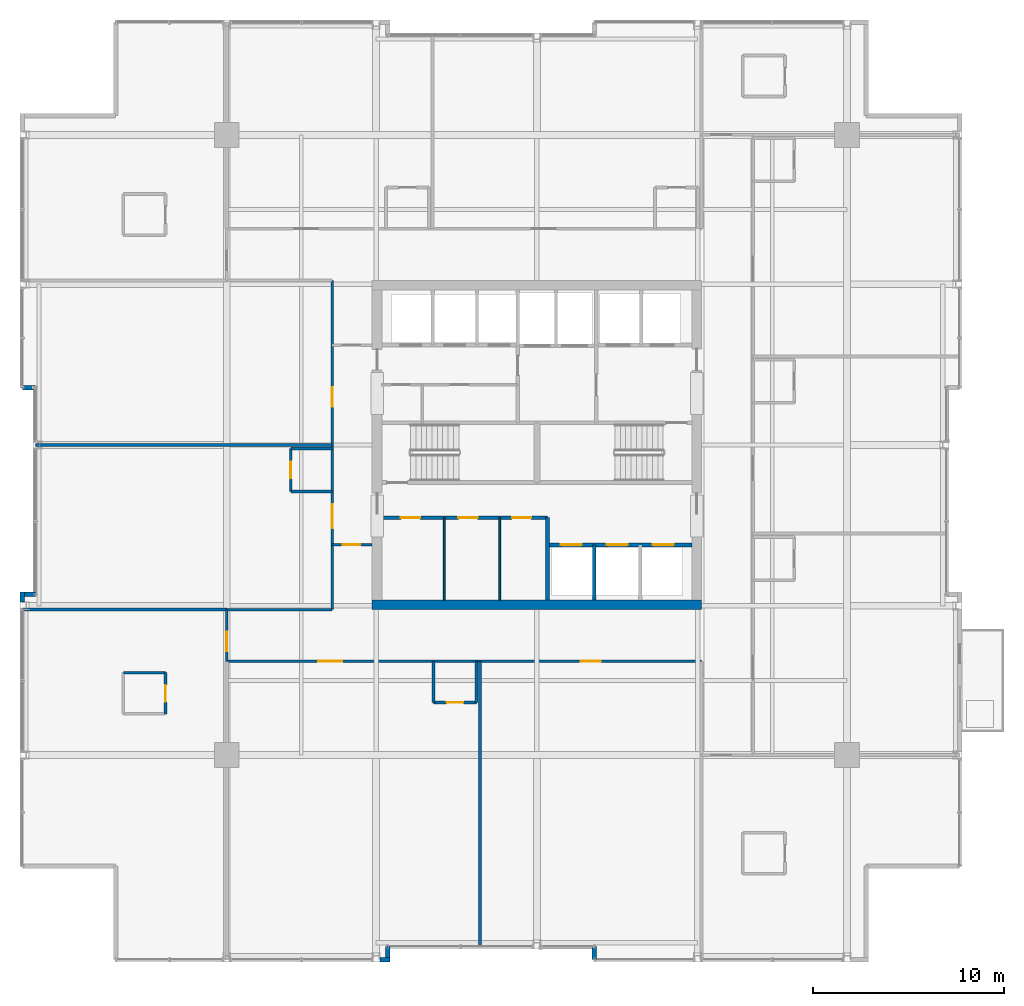
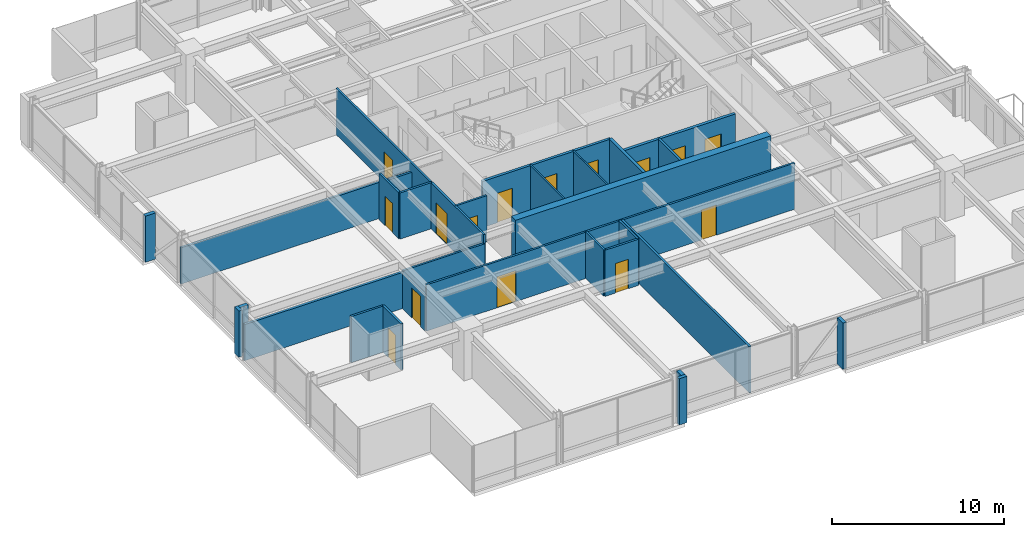
# One storey, part 27 of 33: 29 walls, 15 doors, 15 openings.
"""IFC4 building model written with IfcOpenShell, lengths in metres."""

from ifc_helpers import new_model, si_unit, direction, frame, frame_2d, origin, place, context, subcontext, project, spatial, rectangle, extrude, material, layer, layer_set, type_object, element, fill, save


model = new_model("IFC4")

# Units and contexts
model_context = context("Model", 3, precision=1e-05, world=origin(), true_north=direction((0.0, 1.0)))
body_context = subcontext(model_context, "Body", "Model", "MODEL_VIEW")
ifc_project = project(units=[si_unit("LENGTHUNIT", "METRE"), si_unit("AREAUNIT", "SQUARE_METRE"), si_unit("VOLUMEUNIT", "CUBIC_METRE"), si_unit("PLANEANGLEUNIT", "RADIAN"), si_unit("MASSUNIT", "GRAM", prefix="KILO")], contexts=[model_context])

# Site, building, storey
site_placement = place(None, origin())
site = spatial("IfcSite", under=ifc_project, at=site_placement, CompositionType="ELEMENT")
building_placement = place(site_placement, origin())
building = spatial("IfcBuilding", under=site, at=building_placement, Name="Drelvath Grand Hotel", CompositionType="ELEMENT")
storey_placement = place(building_placement, frame((0.0, 0.0, 168.14990234375)))
storey = spatial("IfcBuildingStorey", under=building, at=storey_placement, Name="L43", CompositionType="ELEMENT", Elevation=168.14990234375)

# Walls
ifc_material_1 = material(Name="Gypsum Partition Board")
ifc_layer_1 = layer(ifc_material_1, 0.10009765625)
ifc_layer_set_1 = layer_set([ifc_layer_1], Name="Gypsum Partition Board")
wall_type_1 = type_object("IfcWallType", Name="Core Closet Partition 100", PredefinedType="PARTITIONING", material=ifc_layer_set_1)
for number, where, z_axis, x_axis, name in (
    (1, (-4.840087890625, 18.89990234375, 0.0), (0.0, 0.0, 1.0), (0.0, 1.0, 0.0), "L43 Reclaimed Split 1"),
    (2, (-1.93994140625, 18.89990234375, 0.0), (0.0, 0.0, 1.0), (0.0, 1.0, 0.0), "L43 Reclaimed Split 2"),
):
    element("IfcWall", number, at=place(storey_placement, frame(where, z_axis=z_axis, x_axis=x_axis)), inside=storey, type_object=wall_type_1, Name=name, PredefinedType="PARTITIONING", context=body_context, shape_type="SweptSolid", body=[
        extrude(rectangle(XDim=4.300048828125, YDim=0.10009765625, at=frame_2d((2.14990234375, 0.0))), origin(), (0.0, 0.0, 1.0), 3.2900390625),
    ])

# Wall, openings, doors
ifc_material_2 = material(Name="Concrete C40/50", Category="concrete")
ifc_layer_2 = layer(ifc_material_2, 0.199951171875)
ifc_layer_set_2 = layer_set([ifc_layer_2], Name="Concrete C40/50")
wall_type_2 = type_object("IfcWallType", Name="Core Hoistway Fire Wall 200", PredefinedType="SOLIDWALL", material=ifc_layer_set_2)
wall_1_placement = place(storey_placement, frame((8.10009765625, 21.780029296875, 0.0), z_axis=(0.0, 0.0, 1.0), x_axis=(-1.0, 0.0, 0.0)))
wall_1 = element("IfcWall", 3, at=wall_1_placement, inside=storey, type_object=wall_type_2, Name="L43 Bank 2 Hoistway Wall", PredefinedType="SOLIDWALL", context=body_context, shape_type="SweptSolid", body=[
    extrude(rectangle(XDim=7.550048828125, YDim=0.199951171875, at=frame_2d((3.77490234375, 0.0))), origin(), (0.0, 0.0, 1.0), 3.2900390625),
])
opening_1_placement = place(wall_1_placement, frame((5.75, 0.0, 0.0)))
opening_1 = element("IfcOpeningElement", 4, at=opening_1_placement, cuts=wall_1, Name="Opening LD-PE-4", PredefinedType="OPENING", context=body_context, shape_type="SweptSolid", body=[
    extrude(rectangle(XDim=1.10009765625, YDim=2.199951171875, at=frame_2d((0.550048828125, 1.10009765625))), frame((0.0, 0.10986328125, 0.0), z_axis=(0.0, -1.0, 0.0), x_axis=(1.0, 0.0, 0.0)), (0.0, 0.0, 1.0), 0.219970703125),
])
opening_2_placement = place(wall_1_placement, frame((3.35009765625, 0.0, 0.0)))
opening_2 = element("IfcOpeningElement", 5, at=opening_2_placement, cuts=wall_1, Name="Opening LD-PE-5", PredefinedType="OPENING", context=body_context, shape_type="SweptSolid", body=[
    extrude(rectangle(XDim=1.10009765625, YDim=2.199951171875, at=frame_2d((0.550048828125, 1.10009765625))), frame((0.0, 0.10986328125, 0.0), z_axis=(0.0, -1.0, 0.0), x_axis=(1.0, 0.0, 0.0)), (0.0, 0.0, 1.0), 0.219970703125),
])
opening_3_placement = place(wall_1_placement, frame((0.949951171875, 0.0, 0.0)))
opening_3 = element("IfcOpeningElement", 6, at=opening_3_placement, cuts=wall_1, Name="Opening LD-PE-6", PredefinedType="OPENING", context=body_context, shape_type="SweptSolid", body=[
    extrude(rectangle(XDim=1.10009765625, YDim=2.199951171875, at=frame_2d((0.550048828125, 1.10009765625))), frame((0.0, 0.10986328125, 0.0), z_axis=(0.0, -1.0, 0.0), x_axis=(1.0, 0.0, 0.0)), (0.0, 0.0, 1.0), 0.219970703125),
])
ifc_material_3 = material(Name="Stainless Steel S355", Category="steel")
door_type_1 = type_object("IfcDoorType", Name="Passenger Lift Sliding Landing Door 1100x2200", OperationType="NOTDEFINED", PredefinedType="DOOR", material=ifc_material_3)
door_1_placement = place(opening_1_placement, origin())
door_1 = element("IfcDoor", 7, at=door_1_placement, inside=storey, type_object=door_type_1, Name="L43 Lift PE-4 Landing Door", OperationType="SLIDING_TO_LEFT", OverallHeight=2.199951171875, OverallWidth=1.10009765625, PredefinedType="DOOR", context=body_context, shape_type="SweptSolid", body=[
    extrude(rectangle(XDim=1.10009765625, YDim=2.199951171875, at=frame_2d((0.550048828125, 1.10009765625))), frame((0.0, 0.02490234375, 0.0), z_axis=(0.0, -1.0, 0.0), x_axis=(1.0, 0.0, 0.0)), (0.0, 0.0, 1.0), 0.050048828125),
])
fill(opening_1, door_1)
door_2_placement = place(opening_2_placement, origin())
door_2 = element("IfcDoor", 8, at=door_2_placement, inside=storey, type_object=door_type_1, Name="L43 Lift PE-5 Landing Door", OperationType="SLIDING_TO_LEFT", OverallHeight=2.199951171875, OverallWidth=1.10009765625, PredefinedType="DOOR", context=body_context, shape_type="SweptSolid", body=[
    extrude(rectangle(XDim=1.10009765625, YDim=2.199951171875, at=frame_2d((0.550048828125, 1.10009765625))), frame((0.0, 0.02490234375, 0.0), z_axis=(0.0, -1.0, 0.0), x_axis=(1.0, 0.0, 0.0)), (0.0, 0.0, 1.0), 0.050048828125),
])
fill(opening_2, door_2)
door_3_placement = place(opening_3_placement, origin())
door_3 = element("IfcDoor", 9, at=door_3_placement, inside=storey, type_object=door_type_1, Name="L43 Lift PE-6 Landing Door", OperationType="SLIDING_TO_LEFT", OverallHeight=2.199951171875, OverallWidth=1.10009765625, PredefinedType="DOOR", context=body_context, shape_type="SweptSolid", body=[
    extrude(rectangle(XDim=1.10009765625, YDim=2.199951171875, at=frame_2d((0.550048828125, 1.10009765625))), frame((0.0, 0.02490234375, 0.0), z_axis=(0.0, -1.0, 0.0), x_axis=(1.0, 0.0, 0.0)), (0.0, 0.0, 1.0), 0.050048828125),
])
fill(opening_3, door_3)

# Walls
wall_2_placement = place(storey_placement, frame((0.550048828125, 18.89990234375, 0.0), z_axis=(0.0, 0.0, 1.0), x_axis=(0.0, 1.0, 0.0)))
element("IfcWall", 10, at=wall_2_placement, inside=storey, type_object=wall_type_2, Name="L43 Bank 2 West Wall", PredefinedType="SOLIDWALL", context=body_context, shape_type="SweptSolid", body=[
    extrude(rectangle(XDim=4.300048828125, YDim=0.199951171875, at=frame_2d((2.14990234375, 0.0))), origin(), (0.0, 0.0, 1.0), 3.2900390625),
])
ifc_material_4 = material(Name="Gypsum Fireboard Partition")
ifc_layer_3 = layer(ifc_material_4, 0.1650390625)
ifc_layer_set_3 = layer_set([ifc_layer_3], Name="Gypsum Fireboard Partition")
wall_type_3 = type_object("IfcWallType", Name="Core Shaft Partition 165", PredefinedType="PARTITIONING", material=ifc_layer_set_3)
wall_3_placement = place(storey_placement, frame((3.0, 18.89990234375, 0.0), z_axis=(0.0, 0.0, 1.0), x_axis=(0.0, 1.0, 0.0)))
element("IfcWall", 11, at=wall_3_placement, inside=storey, type_object=wall_type_3, Name="L43 Lift PE-4/5 Divider", PredefinedType="PARTITIONING", context=body_context, shape_type="SweptSolid", body=[
    extrude(rectangle(XDim=2.880126953125, YDim=0.1650390625, at=frame_2d((1.43994140625, 0.0))), origin(), (0.0, 0.0, 1.0), 3.2900390625),
])

# Wall, opening, door
ifc_layer_4 = layer(ifc_material_4, 0.135009765625)
ifc_layer_set_4 = layer_set([ifc_layer_4], Name="Gypsum Fireboard Partition")
wall_type_4 = type_object("IfcWallType", Name="Corridor Fire Barrier Wall 135", PredefinedType="PARTITIONING", material=ifc_layer_set_4)
wall_4_placement = place(storey_placement, frame((-10.699951171875, 21.800048828125, 0.0), z_axis=(0.0, 0.0, 1.0), x_axis=(1.0, 0.0, 0.0)))
wall_4 = element("IfcWall", 12, at=wall_4_placement, inside=storey, type_object=wall_type_4, Name="L43 West Foyer South Wall", PredefinedType="PARTITIONING", context=body_context, shape_type="SweptSolid", body=[
    extrude(rectangle(XDim=2.099853515625, YDim=0.135009765625, at=frame_2d((1.0498046875, 0.0))), origin(), (0.0, 0.0, 1.0), 3.2900390625),
])
opening_4_placement = place(wall_4_placement, frame((0.550048828125, 0.0, 0.0)))
opening_4 = element("IfcOpeningElement", 13, at=opening_4_placement, cuts=wall_4, Name="Opening D-T3G2-024", PredefinedType="OPENING", context=body_context, shape_type="SweptSolid", body=[
    extrude(rectangle(XDim=0.919921875, YDim=2.10009765625, at=frame_2d((0.4599609375, 1.050048828125))), frame((0.0, 0.077392578125, 0.0), z_axis=(0.0, -1.0, 0.0), x_axis=(1.0, 0.0, 0.0)), (0.0, 0.0, 1.0), 0.155029296875),
])
ifc_material_5 = material(Name="Painted Steel S275", Category="steel")
door_type_2 = type_object("IfcDoorType", Name="Staff Utility Door 920x2100", OperationType="NOTDEFINED", PredefinedType="DOOR", material=ifc_material_5)
door_4_placement = place(opening_4_placement, origin())
door_4 = element("IfcDoor", 14, at=door_4_placement, inside=storey, type_object=door_type_2, Name="L43 West Linen Closet Door", OperationType="SINGLE_SWING_RIGHT", OverallHeight=2.10009765625, OverallWidth=0.919921875, PredefinedType="DOOR", context=body_context, shape_type="SweptSolid", body=[
    extrude(rectangle(XDim=0.919921875, YDim=2.10009765625, at=frame_2d((0.4599609375, 1.050048828125))), frame((0.0, 0.02490234375, 0.0), z_axis=(0.0, -1.0, 0.0), x_axis=(1.0, 0.0, 0.0)), (0.0, 0.0, 1.0), 0.050048828125),
])
fill(opening_4, door_4)

# Wall
wall_5_placement = place(storey_placement, frame((-16.199951171875, 18.39990234375, 0.0), z_axis=(0.0, 0.0, 1.0), x_axis=(1.0, 0.0, 0.0)))
element("IfcWall", 15, at=wall_5_placement, inside=storey, type_object=wall_type_4, Name="L43 SW Stub North Wall", PredefinedType="PARTITIONING", context=body_context, shape_type="SweptSolid", body=[
    extrude(rectangle(XDim=5.5, YDim=0.135009765625, at=frame_2d((2.75, 0.0))), origin(), (0.0, 0.0, 1.0), 2.66748046875),
])

# Wall, openings, doors
wall_6_placement = place(storey_placement, frame((-16.199951171875, 15.699951171875, 0.0), z_axis=(0.0, 0.0, 1.0), x_axis=(1.0, 0.0, 0.0)))
wall_6 = element("IfcWall", 16, at=wall_6_placement, inside=storey, type_object=wall_type_4, Name="L43 South Stub Corridor Wall", PredefinedType="PARTITIONING", context=body_context, shape_type="SweptSolid", body=[
    extrude(rectangle(XDim=24.800048828125, YDim=0.135009765625, at=frame_2d((12.39990234375, 0.0))), origin(), (0.0, 0.0, 1.0), 3.2900390625),
])
opening_5_placement = place(wall_6_placement, frame((4.768310546875, 0.0, 0.0)))
opening_5 = element("IfcOpeningElement", 17, at=opening_5_placement, cuts=wall_6, Name="Opening D-T3G2-035", PredefinedType="OPENING", context=body_context, shape_type="SweptSolid", body=[
    extrude(rectangle(XDim=1.260009765625, YDim=2.199951171875, at=frame_2d((0.6298828125, 1.10009765625))), frame((0.0, 0.077392578125, 0.0), z_axis=(0.0, -1.0, 0.0), x_axis=(1.0, 0.0, 0.0)), (0.0, 0.0, 1.0), 0.155029296875),
])
opening_6_placement = place(wall_6_placement, frame((18.50341796875, 0.0, 0.0)))
opening_6 = element("IfcOpeningElement", 18, at=opening_6_placement, cuts=wall_6, Name="Opening D-T3G2-036", PredefinedType="OPENING", context=body_context, shape_type="SweptSolid", body=[
    extrude(rectangle(XDim=1.02001953125, YDim=2.14990234375, at=frame_2d((0.510009765625, 1.074951171875))), frame((0.0, 0.077392578125, 0.0), z_axis=(0.0, -1.0, 0.0), x_axis=(1.0, 0.0, 0.0)), (0.0, 0.0, 1.0), 0.155029296875),
])
ifc_material_6 = material(Name="Hardwood Walnut Timber", Category="wood")
door_type_3 = type_object("IfcDoorType", Name="Amenity Meeting Fire Door 1020x2150", OperationType="NOTDEFINED", PredefinedType="DOOR", material=ifc_material_6)
door_5_placement = place(opening_6_placement, origin())
door_5 = element("IfcDoor", 19, at=door_5_placement, inside=storey, type_object=door_type_3, Name="L43 Executive Boardroom Entry Door", OperationType="SINGLE_SWING_RIGHT", OverallHeight=2.14990234375, OverallWidth=1.02001953125, PredefinedType="DOOR", context=body_context, shape_type="SweptSolid", body=[
    extrude(rectangle(XDim=1.02001953125, YDim=2.14990234375, at=frame_2d((0.510009765625, 1.074951171875))), frame((0.0, 0.02490234375, 0.0), z_axis=(0.0, -1.0, 0.0), x_axis=(1.0, 0.0, 0.0)), (0.0, 0.0, 1.0), 0.050048828125),
])
fill(opening_6, door_5)
door_type_4 = type_object("IfcDoorType", Name="Suite Entrance Fire Door 1260x2200", OperationType="NOTDEFINED", PredefinedType="DOOR", material=ifc_material_6)
door_6_placement = place(opening_5_placement, origin())
door_6 = element("IfcDoor", 20, at=door_6_placement, inside=storey, type_object=door_type_4, Name="L43 Executive Suite Entry Door", OperationType="SINGLE_SWING_LEFT", OverallHeight=2.199951171875, OverallWidth=1.260009765625, PredefinedType="DOOR", context=body_context, shape_type="SweptSolid", body=[
    extrude(rectangle(XDim=1.260009765625, YDim=2.199951171875, at=frame_2d((0.6298828125, 1.10009765625))), frame((0.0, 0.02490234375, 0.0), z_axis=(0.0, -1.0, 0.0), x_axis=(1.0, 0.0, 0.0)), (0.0, 0.0, 1.0), 0.050048828125),
])
fill(opening_5, door_6)

wall_7_placement = place(storey_placement, frame((-10.699951171875, 18.39990234375, 0.0), z_axis=(0.0, 0.0, 1.0), x_axis=(0.0, 1.0, 0.0)))
wall_7 = element("IfcWall", 21, at=wall_7_placement, inside=storey, type_object=wall_type_4, Name="L43 West Spine Wall", PredefinedType="PARTITIONING", context=body_context, shape_type="SweptSolid", body=[
    extrude(rectangle(XDim=17.2001953125, YDim=0.135009765625, at=frame_2d((8.60009765625, 0.0))), origin(), (0.0, 0.0, 1.0), 3.2900390625),
])
opening_7_placement = place(wall_7_placement, frame((4.2548828125, 0.0, 0.0)))
opening_7 = element("IfcOpeningElement", 22, at=opening_7_placement, cuts=wall_7, Name="Opening D-T3G2-048", PredefinedType="OPENING", context=body_context, shape_type="SweptSolid", body=[
    extrude(rectangle(XDim=1.260009765625, YDim=2.199951171875, at=frame_2d((0.6298828125, 1.10009765625))), frame((0.0, 0.077392578125, 0.0), z_axis=(0.0, -1.0, 0.0), x_axis=(1.0, 0.0, 0.0)), (0.0, 0.0, 1.0), 0.155029296875),
])
opening_8_placement = place(wall_7_placement, frame((10.590087890625, 0.0, 0.0)))
opening_8 = element("IfcOpeningElement", 23, at=opening_8_placement, cuts=wall_7, Name="Opening D-T3G2-049", PredefinedType="OPENING", context=body_context, shape_type="SweptSolid", body=[
    extrude(rectangle(XDim=1.02001953125, YDim=2.14990234375, at=frame_2d((0.510009765625, 1.074951171875))), frame((0.0, 0.077392578125, 0.0), z_axis=(0.0, -1.0, 0.0), x_axis=(1.0, 0.0, 0.0)), (0.0, 0.0, 1.0), 0.155029296875),
])
door_7_placement = place(opening_8_placement, origin())
door_7 = element("IfcDoor", 24, at=door_7_placement, inside=storey, type_object=door_type_3, Name="L43 Wellness Consultation Room Entry Door", OperationType="SINGLE_SWING_LEFT", OverallHeight=2.14990234375, OverallWidth=1.02001953125, PredefinedType="DOOR", context=body_context, shape_type="SweptSolid", body=[
    extrude(rectangle(XDim=1.02001953125, YDim=2.14990234375, at=frame_2d((0.510009765625, 1.074951171875))), frame((0.0, 0.02490234375, 0.0), z_axis=(0.0, -1.0, 0.0), x_axis=(1.0, 0.0, 0.0)), (0.0, 0.0, 1.0), 0.050048828125),
])
fill(opening_8, door_7)
door_8_placement = place(opening_7_placement, origin())
door_8 = element("IfcDoor", 25, at=door_8_placement, inside=storey, type_object=door_type_4, Name="L43 Executive Suite Entry Door", OperationType="SINGLE_SWING_RIGHT", OverallHeight=2.199951171875, OverallWidth=1.260009765625, PredefinedType="DOOR", context=body_context, shape_type="SweptSolid", body=[
    extrude(rectangle(XDim=1.260009765625, YDim=2.199951171875, at=frame_2d((0.6298828125, 1.10009765625))), frame((0.0, 0.02490234375, 0.0), z_axis=(0.0, -1.0, 0.0), x_axis=(1.0, 0.0, 0.0)), (0.0, 0.0, 1.0), 0.050048828125),
])
fill(opening_7, door_8)

# Wall, opening, door
wall_8_placement = place(storey_placement, frame((-16.199951171875, 15.699951171875, 0.0), z_axis=(0.0, 0.0, 1.0), x_axis=(0.0, 1.0, 0.0)))
wall_8 = element("IfcWall", 26, at=wall_8_placement, inside=storey, type_object=wall_type_4, Name="L43 South Stub West End", PredefinedType="PARTITIONING", context=body_context, shape_type="SweptSolid", body=[
    extrude(rectangle(XDim=2.699951171875, YDim=0.135009765625, at=frame_2d((1.35009765625, 0.0))), origin(), (0.0, 0.0, 1.0), 2.57958984375),
])
opening_9_placement = place(wall_8_placement, frame((0.52001953125, 0.0, 0.0)))
opening_9 = element("IfcOpeningElement", 27, at=opening_9_placement, cuts=wall_8, Name="Opening D-T3G2-027", PredefinedType="OPENING", context=body_context, shape_type="SweptSolid", body=[
    extrude(rectangle(XDim=1.02001953125, YDim=2.14990234375, at=frame_2d((0.510009765625, 1.074951171875))), frame((0.0, 0.077392578125, 0.0), z_axis=(0.0, -1.0, 0.0), x_axis=(1.0, 0.0, 0.0)), (0.0, 0.0, 1.0), 0.155029296875),
])
door_9_placement = place(opening_9_placement, origin())
door_9 = element("IfcDoor", 28, at=door_9_placement, inside=storey, type_object=door_type_3, Name="L43 Executive Suite Entry Door", OperationType="SINGLE_SWING_LEFT", OverallHeight=2.14990234375, OverallWidth=1.02001953125, PredefinedType="DOOR", context=body_context, shape_type="SweptSolid", body=[
    extrude(rectangle(XDim=1.02001953125, YDim=2.14990234375, at=frame_2d((0.510009765625, 1.074951171875))), frame((0.0, 0.02490234375, 0.0), z_axis=(0.0, -1.0, 0.0), x_axis=(1.0, 0.0, 0.0)), (0.0, 0.0, 1.0), 0.050048828125),
])
fill(opening_9, door_9)

# Wall
ifc_material_7 = material(Name="Moisture-Resistant Gypsum Board")
ifc_layer_5 = layer(ifc_material_7, 0.139892578125)
ifc_layer_set_5 = layer_set([ifc_layer_5], Name="Moisture-Resistant Gypsum Board")
wall_type_5 = type_object("IfcWallType", Name="En-Suite Plumbing Wall 140", PredefinedType="PLUMBINGWALL", material=ifc_layer_set_5)
wall_9_placement = place(storey_placement, frame((-21.60009765625, 15.110107421875, 0.0), z_axis=(0.0, 0.0, 1.0), x_axis=(1.0, 0.0, 0.0)))
element("IfcWall", 29, at=wall_9_placement, inside=storey, type_object=wall_type_5, Name="L43 Corner En-Suite North", PredefinedType="PLUMBINGWALL", context=body_context, shape_type="SweptSolid", body=[
    extrude(rectangle(XDim=2.2001953125, YDim=0.139892578125, at=frame_2d((1.10009765625, 0.0))), origin(), (0.0, 0.0, 1.0), 3.2900390625),
])

# Wall, opening, door
wall_10_placement = place(storey_placement, frame((-19.39990234375, 12.9599609375, 0.0), z_axis=(0.0, 0.0, 1.0), x_axis=(0.0, 1.0, 0.0)))
wall_10 = element("IfcWall", 30, at=wall_10_placement, inside=storey, type_object=wall_type_5, Name="L43 Corner En-Suite East", PredefinedType="PLUMBINGWALL", context=body_context, shape_type="SweptSolid", body=[
    extrude(rectangle(XDim=2.150146484375, YDim=0.139892578125, at=frame_2d((1.0751953125, 0.0))), origin(), (0.0, 0.0, 1.0), 3.2900390625),
])
opening_10_placement = place(wall_10_placement, frame((0.6201171875, 0.0, 0.0)))
opening_10 = element("IfcOpeningElement", 31, at=opening_10_placement, cuts=wall_10, Name="Opening D-T3G2-026", PredefinedType="OPENING", context=body_context, shape_type="SweptSolid", body=[
    extrude(rectangle(XDim=0.8798828125, YDim=2.10009765625, at=frame_2d((0.43994140625, 1.050048828125))), frame((0.0, 0.079833984375, 0.0), z_axis=(0.0, -1.0, 0.0), x_axis=(1.0, 0.0, 0.0)), (0.0, 0.0, 1.0), 0.159912109375),
])
door_type_5 = type_object("IfcDoorType", Name="En-Suite Bathroom Door 880x2100", OperationType="NOTDEFINED", PredefinedType="DOOR", material=ifc_material_6)
door_10_placement = place(opening_10_placement, origin())
door_10 = element("IfcDoor", 32, at=door_10_placement, inside=storey, type_object=door_type_5, Name="L43 Corner En-Suite Door", OperationType="SINGLE_SWING_RIGHT", OverallHeight=2.10009765625, OverallWidth=0.8798828125, PredefinedType="DOOR", context=body_context, shape_type="SweptSolid", body=[
    extrude(rectangle(XDim=0.8798828125, YDim=2.10009765625, at=frame_2d((0.43994140625, 1.050048828125))), frame((0.0, 0.02490234375, 0.0), z_axis=(0.0, -1.0, 0.0), x_axis=(1.0, 0.0, 0.0)), (0.0, 0.0, 1.0), 0.050048828125),
])
fill(opening_10, door_10)

# Walls
for number, where, z_axis, x_axis, name in (
    (33, (-5.4033203125, 15.699951171875, 0.0), (0.0, 0.0, 1.0), (0.0, -1.0, 0.0), "L43 En-Suite Left Wall"),
    (34, (-3.1533203125, 15.699951171875, 0.0), (0.0, 0.0, 1.0), (0.0, -1.0, 0.0), "L43 En-Suite Right Wall"),
):
    element("IfcWall", number, at=place(storey_placement, frame(where, z_axis=z_axis, x_axis=x_axis)), inside=storey, type_object=wall_type_5, Name=name, PredefinedType="PLUMBINGWALL", context=body_context, shape_type="SweptSolid", body=[
        extrude(rectangle(XDim=2.14990234375, YDim=0.139892578125, at=frame_2d((1.074951171875, 0.0))), origin(), (0.0, 0.0, 1.0), 3.2900390625),
    ])

# Wall, opening, door
wall_11_placement = place(storey_placement, frame((-5.4033203125, 13.550048828125, 0.0), z_axis=(0.0, 0.0, 1.0), x_axis=(1.0, 0.0, 0.0)))
wall_11 = element("IfcWall", 35, at=wall_11_placement, inside=storey, type_object=wall_type_5, Name="L43 En-Suite Front Wall", PredefinedType="PLUMBINGWALL", context=body_context, shape_type="SweptSolid", body=[
    extrude(rectangle(XDim=2.25, YDim=0.139892578125, at=frame_2d((1.125, 0.0))), origin(), (0.0, 0.0, 1.0), 3.2900390625),
])
opening_11_placement = place(wall_11_placement, frame((0.68505859375, 0.0, 0.0)))
opening_11 = element("IfcOpeningElement", 36, at=opening_11_placement, cuts=wall_11, Name="Opening D-T3G2-034", PredefinedType="OPENING", context=body_context, shape_type="SweptSolid", body=[
    extrude(rectangle(XDim=0.8798828125, YDim=2.10009765625, at=frame_2d((0.43994140625, 1.050048828125))), frame((0.0, 0.079833984375, 0.0), z_axis=(0.0, -1.0, 0.0), x_axis=(1.0, 0.0, 0.0)), (0.0, 0.0, 1.0), 0.159912109375),
])
door_11_placement = place(opening_11_placement, origin())
door_11 = element("IfcDoor", 37, at=door_11_placement, inside=storey, type_object=door_type_5, Name="L43 En-Suite Bathroom Door", OperationType="SINGLE_SWING_RIGHT", OverallHeight=2.10009765625, OverallWidth=0.8798828125, PredefinedType="DOOR", context=body_context, shape_type="SweptSolid", body=[
    extrude(rectangle(XDim=0.8798828125, YDim=2.10009765625, at=frame_2d((0.43994140625, 1.050048828125))), frame((0.0, 0.02490234375, 0.0), z_axis=(0.0, -1.0, 0.0), x_axis=(1.0, 0.0, 0.0)), (0.0, 0.0, 1.0), 0.050048828125),
])
fill(opening_11, door_11)

# Walls
wall_12_placement = place(storey_placement, frame((-10.699951171875, 24.570068359375, 0.0), z_axis=(0.0, 0.0, 1.0), x_axis=(-1.0, 0.0, 0.0)))
element("IfcWall", 38, at=wall_12_placement, inside=storey, type_object=wall_type_5, Name="L43 En-Suite Left Wall", PredefinedType="PLUMBINGWALL", context=body_context, shape_type="SweptSolid", body=[
    extrude(rectangle(XDim=2.150146484375, YDim=0.139892578125, at=frame_2d((1.0751953125, 0.0))), origin(), (0.0, 0.0, 1.0), 3.2900390625),
])
wall_13_placement = place(storey_placement, frame((-10.699951171875, 26.820068359375, 0.0), z_axis=(0.0, 0.0, 1.0), x_axis=(-1.0, 0.0, 0.0)))
element("IfcWall", 39, at=wall_13_placement, inside=storey, type_object=wall_type_5, Name="L43 En-Suite Right Wall", PredefinedType="PLUMBINGWALL", context=body_context, shape_type="SweptSolid", body=[
    extrude(rectangle(XDim=2.150146484375, YDim=0.139892578125, at=frame_2d((1.0751953125, 0.0))), origin(), (0.0, 0.0, 1.0), 2.66748046875),
])

# Wall, opening, door
wall_14_placement = place(storey_placement, frame((-12.85009765625, 24.570068359375, 0.0), z_axis=(0.0, 0.0, 1.0), x_axis=(0.0, 1.0, 0.0)))
wall_14 = element("IfcWall", 40, at=wall_14_placement, inside=storey, type_object=wall_type_5, Name="L43 En-Suite Front Wall", PredefinedType="PLUMBINGWALL", context=body_context, shape_type="SweptSolid", body=[
    extrude(rectangle(XDim=2.25, YDim=0.139892578125, at=frame_2d((1.125, 0.0))), origin(), (0.0, 0.0, 1.0), 3.2900390625),
])
opening_12_placement = place(wall_14_placement, frame((0.68505859375, 0.0, 0.0)))
opening_12 = element("IfcOpeningElement", 41, at=opening_12_placement, cuts=wall_14, Name="Opening D-T3G2-047", PredefinedType="OPENING", context=body_context, shape_type="SweptSolid", body=[
    extrude(rectangle(XDim=0.8798828125, YDim=2.10009765625, at=frame_2d((0.43994140625, 1.050048828125))), frame((0.0, 0.079833984375, 0.0), z_axis=(0.0, -1.0, 0.0), x_axis=(1.0, 0.0, 0.0)), (0.0, 0.0, 1.0), 0.159912109375),
])
door_12_placement = place(opening_12_placement, origin())
door_12 = element("IfcDoor", 42, at=door_12_placement, inside=storey, type_object=door_type_5, Name="L43 En-Suite Bathroom Door", OperationType="SINGLE_SWING_LEFT", OverallHeight=2.10009765625, OverallWidth=0.8798828125, PredefinedType="DOOR", context=body_context, shape_type="SweptSolid", body=[
    extrude(rectangle(XDim=0.8798828125, YDim=2.10009765625, at=frame_2d((0.43994140625, 1.050048828125))), frame((0.0, 0.02490234375, 0.0), z_axis=(0.0, -1.0, 0.0), x_axis=(1.0, 0.0, 0.0)), (0.0, 0.0, 1.0), 0.050048828125),
])
fill(opening_12, door_12)

# Wall, openings, doors
ifc_layer_6 = layer(ifc_material_4, 0.179931640625)
ifc_layer_set_6 = layer_set([ifc_layer_6], Name="Gypsum Fireboard Partition")
wall_type_6 = type_object("IfcWallType", Name="FSAE Smoke Lobby Fire Wall 180", PredefinedType="SOLIDWALL", material=ifc_layer_set_6)
wall_15_placement = place(storey_placement, frame((-8.10009765625, 23.199951171875, 0.0), z_axis=(0.0, 0.0, 1.0), x_axis=(1.0, 0.0, 0.0)))
wall_15 = element("IfcWall", 43, at=wall_15_placement, inside=storey, type_object=wall_type_6, Name="L43 Reclaimed Core Room Wall", PredefinedType="SOLIDWALL", context=body_context, shape_type="SweptSolid", body=[
    extrude(rectangle(XDim=8.650146484375, YDim=0.179931640625, at=frame_2d((4.3251953125, 0.0))), origin(), (0.0, 0.0, 1.0), 3.2900390625),
])
opening_13_placement = place(wall_15_placement, frame((1.0, 0.0, 0.0)))
opening_13 = element("IfcOpeningElement", 44, at=opening_13_placement, cuts=wall_15, Name="Opening D-T3G2-021", PredefinedType="OPENING", context=body_context, shape_type="SweptSolid", body=[
    extrude(rectangle(XDim=1.0, YDim=2.10009765625, at=frame_2d((0.5, 1.050048828125))), frame((0.0, 0.099853515625, 0.0), z_axis=(0.0, -1.0, 0.0), x_axis=(1.0, 0.0, 0.0)), (0.0, 0.0, 1.0), 0.199951171875),
])
opening_14_placement = place(wall_15_placement, frame((4.0, 0.0, 0.0)))
opening_14 = element("IfcOpeningElement", 45, at=opening_14_placement, cuts=wall_15, Name="Opening D-T3G2-022", PredefinedType="OPENING", context=body_context, shape_type="SweptSolid", body=[
    extrude(rectangle(XDim=1.0, YDim=2.10009765625, at=frame_2d((0.5, 1.050048828125))), frame((0.0, 0.099853515625, 0.0), z_axis=(0.0, -1.0, 0.0), x_axis=(1.0, 0.0, 0.0)), (0.0, 0.0, 1.0), 0.199951171875),
])
opening_15_placement = place(wall_15_placement, frame((6.800048828125, 0.0, 0.0)))
opening_15 = element("IfcOpeningElement", 46, at=opening_15_placement, cuts=wall_15, Name="Opening D-T3G2-023", PredefinedType="OPENING", context=body_context, shape_type="SweptSolid", body=[
    extrude(rectangle(XDim=1.0, YDim=2.10009765625, at=frame_2d((0.5, 1.050048828125))), frame((0.0, 0.099853515625, 0.0), z_axis=(0.0, -1.0, 0.0), x_axis=(1.0, 0.0, 0.0)), (0.0, 0.0, 1.0), 0.199951171875),
])
door_type_6 = type_object("IfcDoorType", Name="Core Service Fire Door 1000x2100", OperationType="NOTDEFINED", PredefinedType="DOOR", material=ifc_material_5)
door_13_placement = place(opening_13_placement, origin())
door_13 = element("IfcDoor", 47, at=door_13_placement, inside=storey, type_object=door_type_6, Name="L43 Housekeeping Door", OperationType="SINGLE_SWING_LEFT", OverallHeight=2.10009765625, OverallWidth=1.0, PredefinedType="DOOR", context=body_context, shape_type="SweptSolid", body=[
    extrude(rectangle(XDim=1.0, YDim=2.10009765625, at=frame_2d((0.5, 1.050048828125))), frame((0.0, 0.02490234375, 0.0), z_axis=(0.0, -1.0, 0.0), x_axis=(1.0, 0.0, 0.0)), (0.0, 0.0, 1.0), 0.050048828125),
])
fill(opening_13, door_13)
door_14_placement = place(opening_14_placement, origin())
door_14 = element("IfcDoor", 48, at=door_14_placement, inside=storey, type_object=door_type_6, Name="L43 Pantry Door", OperationType="SINGLE_SWING_RIGHT", OverallHeight=2.10009765625, OverallWidth=1.0, PredefinedType="DOOR", context=body_context, shape_type="SweptSolid", body=[
    extrude(rectangle(XDim=1.0, YDim=2.10009765625, at=frame_2d((0.5, 1.050048828125))), frame((0.0, 0.02490234375, 0.0), z_axis=(0.0, -1.0, 0.0), x_axis=(1.0, 0.0, 0.0)), (0.0, 0.0, 1.0), 0.050048828125),
])
fill(opening_14, door_14)
door_15_placement = place(opening_15_placement, origin())
door_15 = element("IfcDoor", 49, at=door_15_placement, inside=storey, type_object=door_type_6, Name="L43 Luggage Store Door", OperationType="SINGLE_SWING_LEFT", OverallHeight=2.10009765625, OverallWidth=1.0, PredefinedType="DOOR", context=body_context, shape_type="SweptSolid", body=[
    extrude(rectangle(XDim=1.0, YDim=2.10009765625, at=frame_2d((0.5, 1.050048828125))), frame((0.0, 0.02490234375, 0.0), z_axis=(0.0, -1.0, 0.0), x_axis=(1.0, 0.0, 0.0)), (0.0, 0.0, 1.0), 0.050048828125),
])
fill(opening_15, door_15)

# Walls
ifc_material_8 = material(Name="Gypsum Acoustic Partition")
ifc_layer_7 = layer(ifc_material_8, 0.14990234375)
ifc_layer_set_7 = layer_set([ifc_layer_7], Name="Gypsum Acoustic Partition")
wall_type_7 = type_object("IfcWallType", Name="Guestroom Demising Wall 150", PredefinedType="PARTITIONING", material=ifc_layer_set_7)
wall_16_placement = place(storey_placement, frame((-2.973388671875, 0.800048828125, 0.0), z_axis=(0.0, 0.0, 1.0), x_axis=(0.0, 1.0, 0.0)))
element("IfcWall", 50, at=wall_16_placement, inside=storey, type_object=wall_type_7, Name="L43 South Demising 1", PredefinedType="PARTITIONING", context=body_context, shape_type="SweptSolid", body=[
    extrude(rectangle(XDim=14.89990234375, YDim=0.14990234375, at=frame_2d((7.449951171875, 0.0))), origin(), (0.0, 0.0, 1.0), 3.2900390625),
])
wall_17_placement = place(storey_placement, frame((-26.199951171875, 27.0, 0.0), z_axis=(0.0, 0.0, 1.0), x_axis=(1.0, 0.0, 0.0)))
element("IfcWall", 51, at=wall_17_placement, inside=storey, type_object=wall_type_7, Name="L43 West Suite Demising Wall", PredefinedType="PARTITIONING", context=body_context, shape_type="SweptSolid", body=[
    extrude(rectangle(XDim=15.5, YDim=0.14990234375, at=frame_2d((7.75, 0.0))), origin(), (0.0, 0.0, 1.0), 2.57958984375),
])
ifc_layer_8 = layer(ifc_material_8, 0.1650390625)
ifc_layer_set_8 = layer_set([ifc_layer_8], Name="Gypsum Acoustic Partition")
wall_type_8 = type_object("IfcWallType", Name="Suite Demising Wall 165", PredefinedType="PARTITIONING", material=ifc_layer_set_8)
wall_18_placement = place(storey_placement, frame((-26.8798828125, 18.39990234375, 0.0), z_axis=(0.0, 0.0, 1.0), x_axis=(1.0, 0.0, 0.0)))
element("IfcWall", 52, at=wall_18_placement, inside=storey, type_object=wall_type_8, Name="L43 SW Suite North Wall", PredefinedType="PARTITIONING", context=body_context, shape_type="SweptSolid", body=[
    extrude(rectangle(XDim=10.679931640625, YDim=0.1650390625, at=frame_2d((5.33984375, 0.0))), origin(), (0.0, 0.0, 1.0), 2.57958984375),
])
ifc_material_9 = material(Name="Pale-Metal Insulated Aluminium Spandrel Assembly", Category="aluminium")
ifc_layer_9 = layer(ifc_material_9, 0.239990234375)
ifc_layer_set_9 = layer_set([ifc_layer_9], Name="Pale-Metal Insulated Aluminium Spandrel Assembly")
wall_type_9 = type_object("IfcWallType", Name="Tower Insulated Metal Spandrel Closure Wall 240", PredefinedType="STANDARD", material=ifc_layer_set_9)
for number, where, z_axis, x_axis, name in (
    (53, (-26.8798828125, 18.800048828125, 0.0), (0.0, 0.0, 1.0), (0.0, 1.0, 0.0), "L43 Corner Pier Spandrel Wall WS3"),
    (54, (-7.679931640625, 0.1201171875, 0.0), (0.0, 0.0, 1.0), (-1.0, 0.0, 0.0), "L43 Corner Pier Spandrel Wall SW3"),
):
    element("IfcWall", number, at=place(storey_placement, frame(where, z_axis=z_axis, x_axis=x_axis)), inside=storey, type_object=wall_type_9, Name=name, PredefinedType="STANDARD", context=body_context, shape_type="SweptSolid", body=[
        extrude(rectangle(XDim=0.52001953125, YDim=0.239990234375, at=frame_2d((0.260009765625, 0.0))), origin(), (0.0, 0.0, 1.0), 3.2900390625),
    ])
wall_19_placement = place(storey_placement, frame((-26.760009765625, 19.199951171875, 0.0), z_axis=(0.0, 0.0, 1.0), x_axis=(1.0, 0.0, 0.0)))
element("IfcWall", 55, at=wall_19_placement, inside=storey, type_object=wall_type_9, Name="L43 Notched Corner Return Spandrel Wall RW1", PredefinedType="STANDARD", context=body_context, shape_type="SweptSolid", body=[
    extrude(rectangle(XDim=0.56005859375, YDim=0.239990234375, at=frame_2d((0.280029296875, 0.0))), origin(), (0.0, 0.0, 1.0), 3.2900390625),
])
for number, where, z_axis, x_axis, name in (
    (56, (-26.199951171875, 30.0, 0.0), (0.0, 0.0, 1.0), (-1.0, 0.0, 0.0), "L43 Notched Corner Return Spandrel Wall RW2"),
    (57, (3.0, 0.1201171875, 0.0), (0.0, 0.0, 1.0), (0.0, 1.0, 0.0), "L43 Notched Corner Return Spandrel Wall RS1"),
):
    element("IfcWall", number, at=place(storey_placement, frame(where, z_axis=z_axis, x_axis=x_axis)), inside=storey, type_object=wall_type_9, Name=name, PredefinedType="STANDARD", context=body_context, shape_type="SweptSolid", body=[
        extrude(rectangle(XDim=0.679931640625, YDim=0.239990234375, at=frame_2d((0.33984375, 0.0))), origin(), (0.0, 0.0, 1.0), 3.2900390625),
    ])
wall_20_placement = place(storey_placement, frame((-7.800048828125, 0.800048828125, 0.0), z_axis=(0.0, 0.0, 1.0), x_axis=(0.0, -1.0, 0.0)))
element("IfcWall", 58, at=wall_20_placement, inside=storey, type_object=wall_type_9, Name="L43 Notched Corner Return Spandrel Wall RS2", PredefinedType="STANDARD", context=body_context, shape_type="SweptSolid", body=[
    extrude(rectangle(XDim=0.56005859375, YDim=0.239990234375, at=frame_2d((0.280029296875, 0.0))), origin(), (0.0, 0.0, 1.0), 3.2900390625),
])
ifc_material_10 = material(Name="Concrete f'c 55 MPa", Category="concrete")
ifc_layer_10 = layer(ifc_material_10, 0.5)
ifc_layer_set_10 = layer_set([ifc_layer_10], Name="Concrete f'c 55 MPa")
wall_type_10 = type_object("IfcWallType", Name="Upper Core RC Shear Wall 500", PredefinedType="SHEAR", material=ifc_layer_set_10)
wall_21_placement = place(storey_placement, frame((8.60009765625, 18.64990234375, 0.0), z_axis=(0.0, 0.0, 1.0), x_axis=(-1.0, 0.0, 0.0)))
element("IfcWall", 59, at=wall_21_placement, inside=storey, type_object=wall_type_10, Name="L43 Central Core Shear Wall S", PredefinedType="SHEAR", context=body_context, shape_type="SweptSolid", body=[
    extrude(rectangle(XDim=17.2001953125, YDim=0.5, at=frame_2d((8.60009765625, 0.0))), origin(), (0.0, 0.0, 1.0), 3.550048828125),
])

save(model, "model.ifc")
